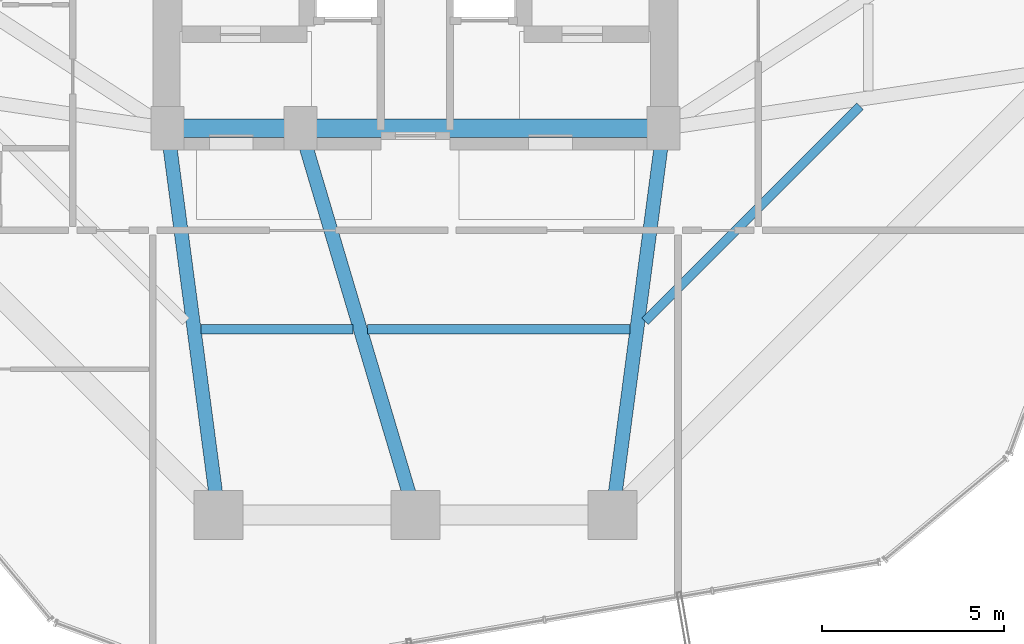
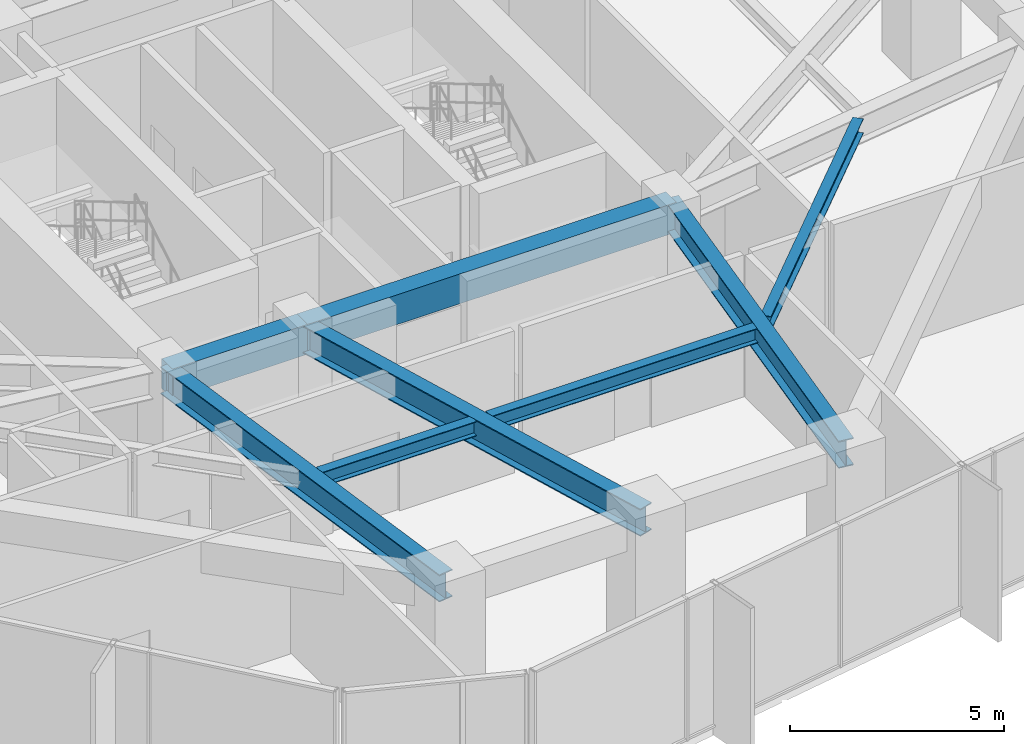
# One storey, part 9 of 35: 8 beams.
"""IFC4 building model written with IfcOpenShell, lengths in metres."""

from ifc_helpers import new_model, si_unit, direction, frame, origin, origin_2d, place, context, subcontext, project, spatial, rectangle, i_section, extrude, material, material_profile, profile_set, type_object, element, save


model = new_model("IFC4")

# Units and contexts
model_context = context("Model", 3, precision=1e-05, world=origin(), true_north=direction((0.0, 1.0)))
body_context = subcontext(model_context, "Body", "Model", "MODEL_VIEW")
ifc_project = project(units=[si_unit("LENGTHUNIT", "METRE"), si_unit("AREAUNIT", "SQUARE_METRE"), si_unit("VOLUMEUNIT", "CUBIC_METRE"), si_unit("PLANEANGLEUNIT", "RADIAN"), si_unit("MASSUNIT", "GRAM", prefix="KILO")], contexts=[model_context])

# Site, building, storey
site_placement = place(None, origin())
site = spatial("IfcSite", under=ifc_project, at=site_placement, CompositionType="ELEMENT")
building_placement = place(site_placement, origin())
building = spatial("IfcBuilding", under=site, at=building_placement, Name="Veraguas Prism Commons", CompositionType="ELEMENT")
storey_placement = place(building_placement, frame((0.0, 0.0, 56.550048828125)))
storey = spatial("IfcBuildingStorey", under=building, at=storey_placement, Name="L15", CompositionType="ELEMENT", Elevation=56.550048828125)

# Beams
ifc_material_1 = material(Name="Steel ASTM A992 Grade 50", Category="steel")
ifc_material_profile_1 = material_profile(ifc_material_1, i_section(OverallWidth=0.382080078125, OverallDepth=0.779052734375, WebThickness=0.01806640625, FlangeThickness=0.030029296875, at=origin_2d()), Name="W760X284")
ifc_profile_set_1 = profile_set([ifc_material_profile_1], Name="Steel ASTM A992 Grade 50")
beam_type_1 = type_object("IfcBeamType", Name="Assembly Primary Girder W760x284", PredefinedType="BEAM", material=ifc_profile_set_1)
beam_1_placement = place(storey_placement, frame((18.60009765625, 6.39990234375, 3.660400390625), z_axis=(-0.130950648891, 0.991388888154, 0.0), x_axis=(-0.991388888154, -0.130950648891, 0.0)))
element("IfcBeam", 1, at=beam_1_placement, inside=storey, type_object=beam_type_1, Name="Radial Floor Girder L15-RD10", PredefinedType="BEAM", context=body_context, shape_type="SweptSolid", body=[
    extrude(i_section(OverallWidth=0.382080078125, OverallDepth=0.779052734375, WebThickness=0.01806640625, FlangeThickness=0.030029296875, at=origin_2d()), origin(), (0.0, 0.0, 1.0), 10.692138671875),
])
beam_2_placement = place(storey_placement, frame((24.0, 6.39990234375, 3.660400390625), z_axis=(-0.28484745997, 0.958572858237, 0.0), x_axis=(-0.958572858237, -0.28484745997, 0.0)))
element("IfcBeam", 2, at=beam_2_placement, inside=storey, type_object=beam_type_1, Name="Radial Floor Girder L15-RD11", PredefinedType="BEAM", context=body_context, shape_type="SweptSolid", body=[
    extrude(i_section(OverallWidth=0.382080078125, OverallDepth=0.779052734375, WebThickness=0.01806640625, FlangeThickness=0.030029296875, at=origin_2d()), origin(), (0.0, 0.0, 1.0), 11.05810546875),
])
beam_3_placement = place(storey_placement, frame((29.39990234375, 6.39990234375, 3.660400390625), z_axis=(0.130950648891, 0.991388888154, 0.0), x_axis=(-0.991388888154, 0.130950648891, 0.0)))
element("IfcBeam", 3, at=beam_3_placement, inside=storey, type_object=beam_type_1, Name="Radial Floor Girder L15-RD12", PredefinedType="BEAM", context=body_context, shape_type="SweptSolid", body=[
    extrude(i_section(OverallWidth=0.382080078125, OverallDepth=0.779052734375, WebThickness=0.01806640625, FlangeThickness=0.030029296875, at=origin_2d()), origin(), (0.0, 0.0, 1.0), 10.692138671875),
])
ifc_material_2 = material(Name="Concrete C50/60", Category="concrete")
ifc_material_profile_2 = material_profile(ifc_material_2, rectangle(XDim=0.5, YDim=0.85009765625, at=origin_2d()), Name="RC500X850")
ifc_profile_set_2 = profile_set([ifc_material_profile_2], Name="Concrete C50/60")
beam_type_2 = type_object("IfcBeamType", Name="Core Coupling Beam RC 500x850", PredefinedType="BEAM", material=ifc_profile_set_2)
beam_4_placement = place(storey_placement, frame((17.199951171875, 17.0, 3.625), z_axis=(1.0, 0.0, 0.0), x_axis=(0.0, 1.0, 0.0)))
element("IfcBeam", 4, at=beam_4_placement, inside=storey, type_object=beam_type_2, Name="Core Coupling Beam L15-CRS1", PredefinedType="BEAM", context=body_context, shape_type="SweptSolid", body=[
    extrude(rectangle(XDim=0.5, YDim=0.85009765625, at=origin_2d()), origin(), (0.0, 0.0, 1.0), 3.650146484375),
])
beam_5_placement = place(storey_placement, frame((20.85009765625, 17.0, 3.625), z_axis=(1.0, 0.0, 0.0), x_axis=(0.0, 1.0, 0.0)))
element("IfcBeam", 5, at=beam_5_placement, inside=storey, type_object=beam_type_2, Name="Core Coupling Beam L15-CRS2", PredefinedType="BEAM", context=body_context, shape_type="SweptSolid", body=[
    extrude(rectangle(XDim=0.5, YDim=0.85009765625, at=origin_2d()), origin(), (0.0, 0.0, 1.0), 9.949951171875),
])
ifc_material_profile_3 = material_profile(ifc_material_1, i_section(OverallWidth=0.260986328125, OverallDepth=0.419921875, WebThickness=0.01171875, FlangeThickness=0.019287109375, at=origin_2d()), Name="W410X114")
ifc_profile_set_3 = profile_set([ifc_material_profile_3], Name="Steel ASTM A992 Grade 50")
beam_type_3 = type_object("IfcBeamType", Name="Lower Floor Joist W410x114", PredefinedType="JOIST", material=ifc_profile_set_3)
beam_6_placement = place(storey_placement, frame((18.11865234375, 11.488037109375, 3.83984375), z_axis=(1.0, 0.0, 0.0), x_axis=(0.0, 1.0, 0.0)))
element("IfcBeam", 6, at=beam_6_placement, inside=storey, type_object=beam_type_3, Name="Composite Floor Joist L15-JS10", PredefinedType="JOIST", context=body_context, shape_type="SweptSolid", body=[
    extrude(i_section(OverallWidth=0.260986328125, OverallDepth=0.419921875, WebThickness=0.01171875, FlangeThickness=0.019287109375, at=origin_2d()), origin(), (0.0, 0.0, 1.0), 4.172119140625),
])
beam_7_placement = place(storey_placement, frame((22.685302734375, 11.488037109375, 3.83984375), z_axis=(1.0, 0.0, 0.0), x_axis=(0.0, 1.0, 0.0)))
element("IfcBeam", 7, at=beam_7_placement, inside=storey, type_object=beam_type_3, Name="Composite Floor Joist L15-JS11", PredefinedType="JOIST", context=body_context, shape_type="SweptSolid", body=[
    extrude(i_section(OverallWidth=0.260986328125, OverallDepth=0.419921875, WebThickness=0.01171875, FlangeThickness=0.019287109375, at=origin_2d()), origin(), (0.0, 0.0, 1.0), 7.196044921875),
])
beam_8_placement = place(storey_placement, frame((30.291748046875, 11.707763671875, 3.83984375), z_axis=(0.707106781187, 0.707106781187, 0.0), x_axis=(-0.707106781187, 0.707106781187, 0.0)))
element("IfcBeam", 8, at=beam_8_placement, inside=storey, type_object=beam_type_3, Name="Composite Floor Joist L15-JS12", PredefinedType="JOIST", context=body_context, shape_type="SweptSolid", body=[
    extrude(i_section(OverallWidth=0.260986328125, OverallDepth=0.419921875, WebThickness=0.01171875, FlangeThickness=0.019287109375, at=origin_2d()), origin(), (0.0, 0.0, 1.0), 8.34375),
])

save(model, "model.ifc")
